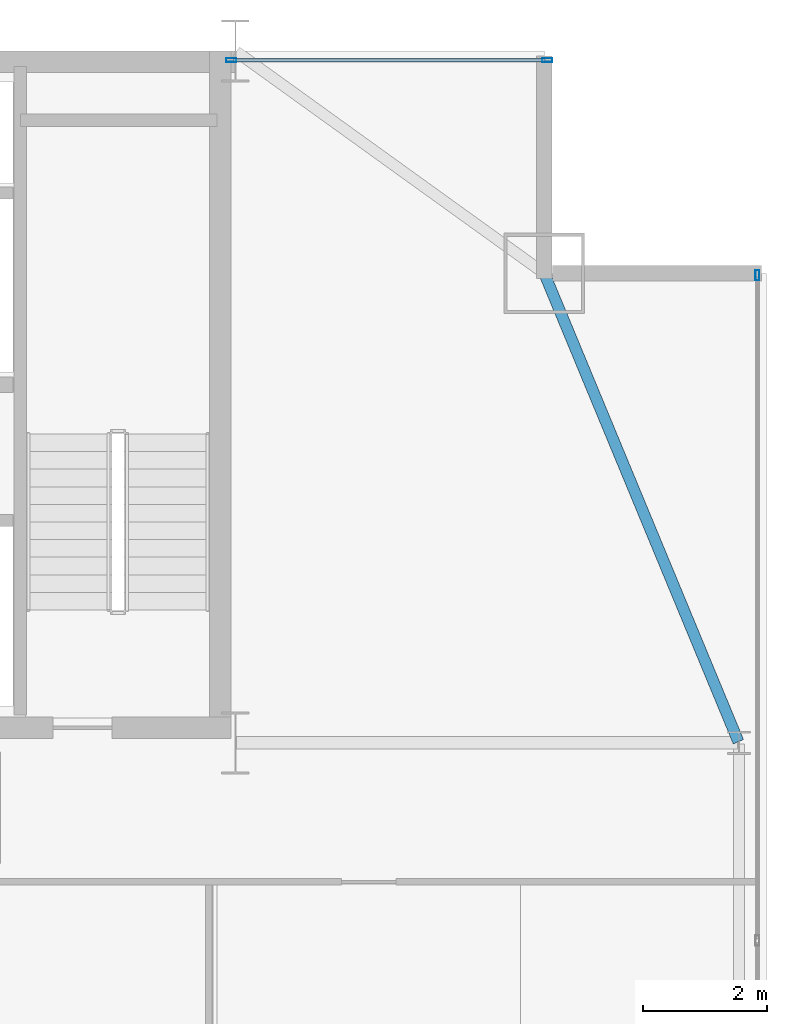
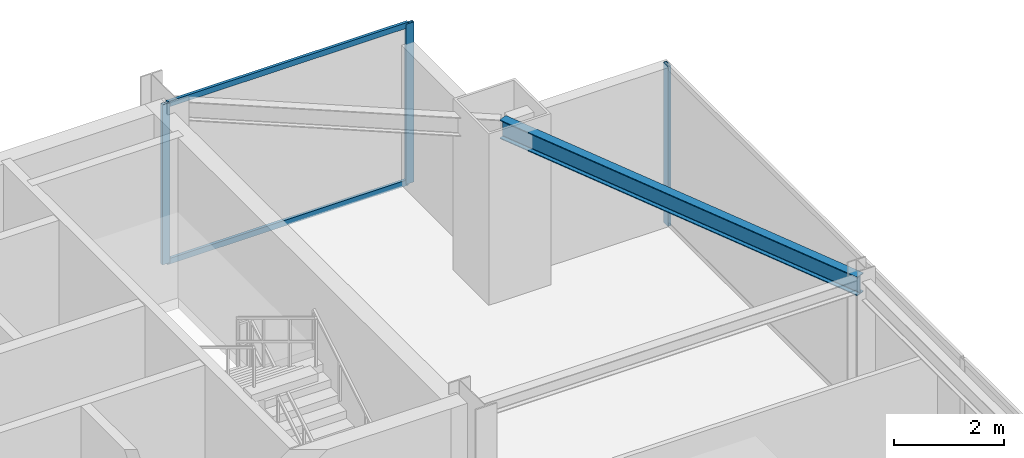
# One storey, part 22 of 30: 5 members, 1 beam, 2 elements without a shape of their own.
"""IFC4 building model written with IfcOpenShell, lengths in metres."""

from ifc_helpers import new_model, si_unit, direction, frame, origin, origin_2d, place, context, subcontext, project, spatial, hollow_rectangle, i_section, extrude, source, transform, mapped, material, layer, layer_set, material_profile, profile_set, type_object, type_shapes, element, aggregate, save


model = new_model("IFC4")

# Units and contexts
model_context = context("Model", 3, precision=1e-05, world=origin(), true_north=direction((0.0, 1.0)))
body_context = subcontext(model_context, "Body", "Model", "MODEL_VIEW")
ifc_project = project(units=[si_unit("LENGTHUNIT", "METRE"), si_unit("AREAUNIT", "SQUARE_METRE"), si_unit("VOLUMEUNIT", "CUBIC_METRE"), si_unit("PLANEANGLEUNIT", "RADIAN"), si_unit("MASSUNIT", "GRAM", prefix="KILO")], contexts=[model_context])

# Site, building, storey
site_placement = place(None, origin())
site = spatial("IfcSite", under=ifc_project, at=site_placement, CompositionType="ELEMENT")
building_placement = place(site_placement, origin())
building = spatial("IfcBuilding", under=site, at=building_placement, Name="Varnel Quay Broadcast Tower", CompositionType="ELEMENT")
storey_placement = place(building_placement, frame((0.0, 0.0, 149.60009765625)))
storey = spatial("IfcBuildingStorey", under=building, at=storey_placement, Name="L36", CompositionType="ELEMENT", Elevation=149.60009765625)

# Beam
ifc_material_1 = material(Name="Structural Steel CSA G40.21 350W", Category="steel")
ifc_material_profile_1 = material_profile(ifc_material_1, i_section(OverallWidth=0.180908203125, OverallDepth=0.4169921875, WebThickness=0.010986328125, FlangeThickness=0.018310546875, FilletRadius=0.011962890625, at=origin_2d()), Name="W410X85")
ifc_profile_set_1 = profile_set([ifc_material_profile_1], Name="Structural Steel CSA G40.21 350W")
beam_type = type_object("IfcBeamType", Name="Beam_W410X85", PredefinedType="SPANDREL", material=ifc_profile_set_1)
shared_shape_1 = source(origin(), body_context, "Body", "SweptSolid", [
    extrude(i_section(OverallWidth=0.180908203125, OverallDepth=0.4169921875, WebThickness=0.010986328125, FlangeThickness=0.018310546875, FilletRadius=0.011962890625, at=origin_2d()), origin(), (0.0, 0.0, 1.0), 8.186767578125),
])
type_shapes(beam_type, [shared_shape_1])
beam_placement = place(storey_placement, frame((60.542236328125, 35.618408203125, 3.34130859375), z_axis=(-0.382874132092, 0.923800519038, 0.0), x_axis=(-0.923800519038, -0.382874132092, 0.0)))
element("IfcBeam", 1, at=beam_placement, inside=storey, type_object=beam_type, Name="L36 East Spandrel TC-E3-MC-NE", PredefinedType="SPANDREL", context=body_context, shape_type="MappedRepresentation", body=[
    mapped(shared_shape_1, transform((0.0, 0.0, 0.0), x_axis=(1.0, 0.0, 0.0), y_axis=(0.0, 1.0, 0.0), z_axis=(0.0, 0.0, 1.0), scale=1.0)),
])

# Curtain wall, members
ifc_material_2 = material(Name="Anodised Bronze Aluminium 6063-T6", Category="aluminium")
ifc_layer = layer(ifc_material_2, 0.18994140625, Name="Anodised Bronze Aluminium 6063-T6")
ifc_layer_set = layer_set([ifc_layer], Name="Anodised Bronze Aluminium 6063-T6")
curtain_wall_type = type_object("IfcCurtainWallType", Name="CW_UpperTower", PredefinedType="NOTDEFINED", material=ifc_layer_set)
curtain_wall_1_placement = place(storey_placement, origin())
curtain_wall_1 = element("IfcCurtainWall", 2, at=curtain_wall_1_placement, inside=storey, type_object=curtain_wall_type, Name="L36 NE Wing Curtain Wall", PredefinedType="NOTDEFINED")
ifc_material_profile_2 = material_profile(ifc_material_2, hollow_rectangle(XDim=0.06005859375, YDim=0.125, WallThickness=0.0029296875, at=origin_2d()), Name="ALU60X125X3")
ifc_profile_set_2 = profile_set([ifc_material_profile_2], Name="Anodised Bronze Aluminium 6063-T6")
member_type_1 = type_object("IfcMemberType", Name="Tran_CWS-03", PredefinedType="USERDEFINED", material=ifc_profile_set_2)
shared_shape_2 = source(origin(), body_context, "Body", "SweptSolid", [
    extrude(hollow_rectangle(XDim=0.06005859375, YDim=0.125, WallThickness=0.0029296875, at=origin_2d()), origin(), (0.0, 0.0, 1.0), 5.050048828125),
])
type_shapes(member_type_1, [shared_shape_2])
member_1_placement = place(storey_placement, frame((52.364990234375, 46.64990234375, 0.02978515625), z_axis=(1.0, 0.0, 0.0), x_axis=(0.0, 1.0, 0.0)))
member_1 = element("IfcMember", 3, at=member_1_placement, type_object=member_type_1, Name="CWS-03 transom 1.1", ObjectType="TRANSOM", PredefinedType="USERDEFINED", context=body_context, shape_type="MappedRepresentation", body=[
    mapped(shared_shape_2, transform((0.0, 0.0, 0.0), x_axis=(1.0, 0.0, 0.0), y_axis=(0.0, 1.0, 0.0), z_axis=(0.0, 0.0, 1.0), scale=1.0)),
])
member_2_placement = place(storey_placement, frame((52.364990234375, 46.64990234375, 3.52001953125), z_axis=(1.0, 0.0, 0.0), x_axis=(0.0, 1.0, 0.0)))
member_2 = element("IfcMember", 4, at=member_2_placement, type_object=member_type_1, Name="CWS-03 transom 1.2", ObjectType="TRANSOM", PredefinedType="USERDEFINED", context=body_context, shape_type="MappedRepresentation", body=[
    mapped(shared_shape_2, transform((0.0, 0.0, 0.0), x_axis=(1.0, 0.0, 0.0), y_axis=(0.0, 1.0, 0.0), z_axis=(0.0, 0.0, 1.0), scale=1.0)),
])

# Curtain wall, member
curtain_wall_2_placement = place(storey_placement, origin())
curtain_wall_2 = element("IfcCurtainWall", 5, at=curtain_wall_2_placement, inside=storey, type_object=curtain_wall_type, Name="L36 East Unitised Curtain Wall", PredefinedType="NOTDEFINED")
ifc_material_profile_3 = material_profile(ifc_material_2, hollow_rectangle(XDim=0.06494140625, YDim=0.1650390625, WallThickness=0.00341796875, at=origin_2d()), Name="ALU65X165X3.5")
ifc_profile_set_3 = profile_set([ifc_material_profile_3], Name="Anodised Bronze Aluminium 6063-T6")
member_type_2 = type_object("IfcMemberType", Name="Mull_CWS-03", PredefinedType="MULLION", material=ifc_profile_set_3)
shared_shape_3 = source(origin(), body_context, "Body", "SweptSolid", [
    extrude(hollow_rectangle(XDim=0.06494140625, YDim=0.1650390625, WallThickness=0.00341796875, at=origin_2d()), origin(), (0.0, 0.0, 1.0), 3.5498046875),
])
type_shapes(member_type_2, [shared_shape_3])
member_3_placement = place(storey_placement, frame((60.85009765625, 43.16748046875, 0.0), z_axis=(0.0, 0.0, 1.0), x_axis=(-1.0, 0.0, 0.0)))
member_3 = element("IfcMember", 6, at=member_3_placement, type_object=member_type_2, Name="CWS-03 mullion 4", PredefinedType="MULLION", context=body_context, shape_type="MappedRepresentation", body=[
    mapped(shared_shape_3, transform((0.0, 0.0, 0.0), x_axis=(1.0, 0.0, 0.0), y_axis=(0.0, 1.0, 0.0), z_axis=(0.0, 0.0, 1.0), scale=1.0)),
])
aggregate(curtain_wall_2, [member_3])

# Member
member_4_placement = place(storey_placement, frame((52.33251953125, 46.64990234375, 0.0), z_axis=(0.0, 0.0, 1.0), x_axis=(0.0, 1.0, 0.0)))
member_4 = element("IfcMember", 7, at=member_4_placement, type_object=member_type_2, Name="CWS-03 mullion 1", PredefinedType="MULLION", context=body_context, shape_type="MappedRepresentation", body=[
    mapped(shared_shape_3, transform((0.0, 0.0, 0.0), x_axis=(1.0, 0.0, 0.0), y_axis=(0.0, 1.0, 0.0), z_axis=(0.0, 0.0, 1.0), scale=1.0)),
])

member_5_placement = place(storey_placement, frame((57.447509765625, 46.64990234375, 0.0), z_axis=(0.0, 0.0, 1.0), x_axis=(0.0, 1.0, 0.0)))
member_5 = element("IfcMember", 8, at=member_5_placement, type_object=member_type_2, Name="CWS-03 mullion 2", PredefinedType="MULLION", context=body_context, shape_type="MappedRepresentation", body=[
    mapped(shared_shape_3, transform((0.0, 0.0, 0.0), x_axis=(1.0, 0.0, 0.0), y_axis=(0.0, 1.0, 0.0), z_axis=(0.0, 0.0, 1.0), scale=1.0)),
])

aggregate(curtain_wall_1, [member_4, member_5, member_1, member_2])

save(model, "model.ifc")
